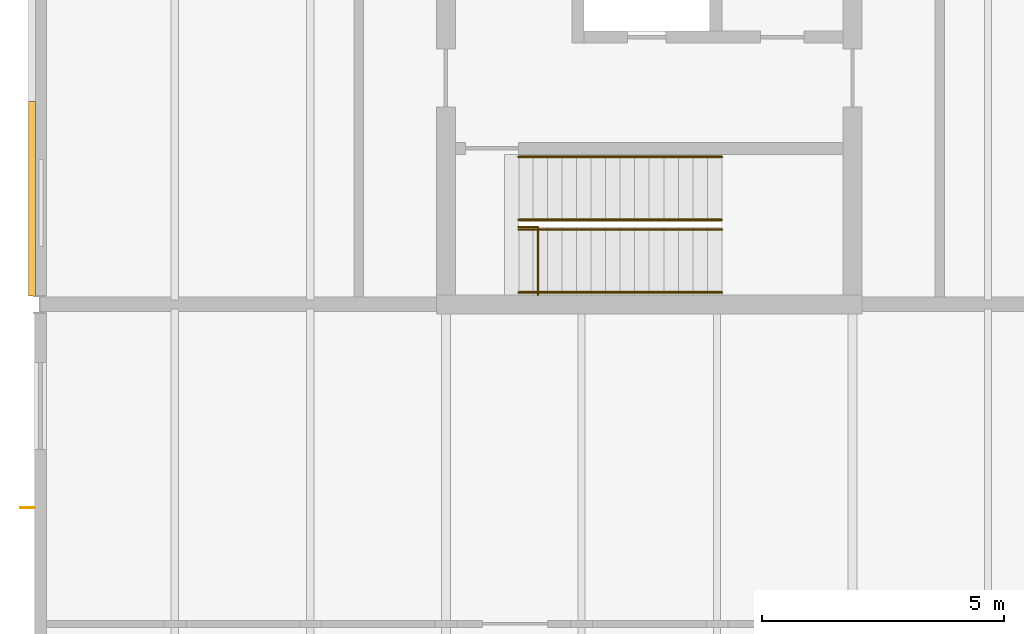
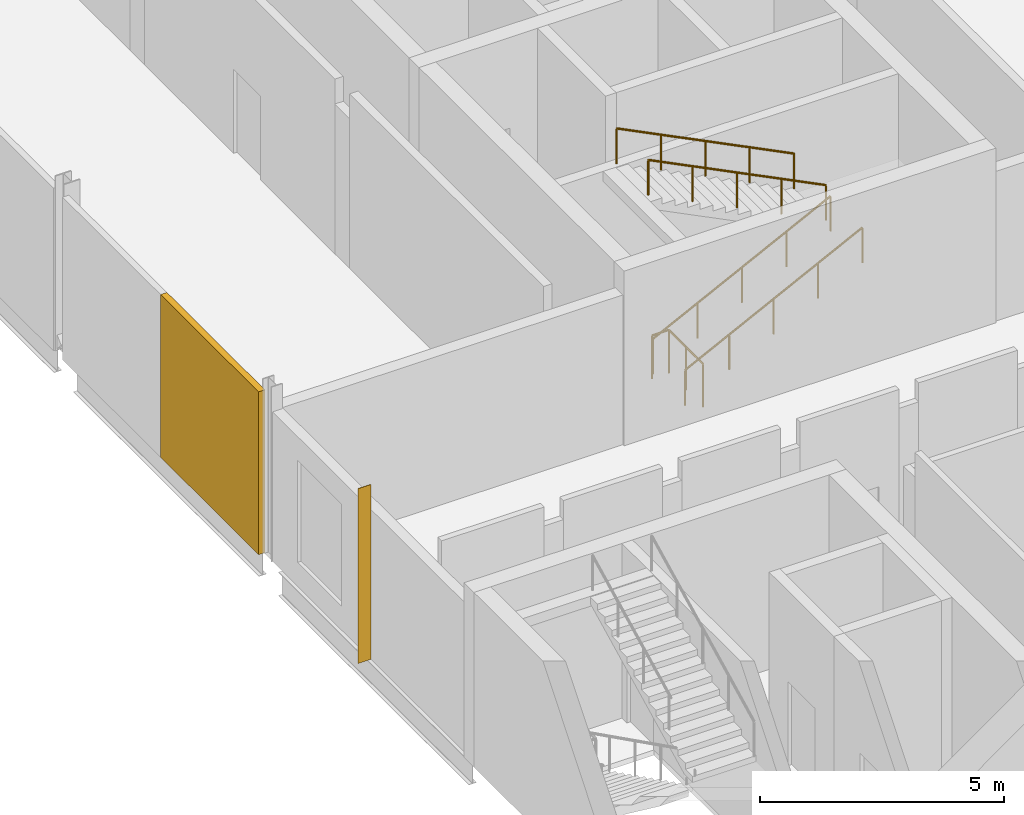
# One storey, part 76 of 89: 5 railings, 2 shading devices.
"""IFC4 building model written with IfcOpenShell, lengths in metres."""

import ifcopenshell
import ifcopenshell.guid

model = None  # the IFC model being written
_history = None  # IfcOwnerHistory: only IFC2X3 demands one
_inside = {}  # id of a spatial element -> (the spatial element, [elements in it])
_under = {}  # id of a project, library or spatial element -> (it, [spatial elements below it])
_declared = {}  # id of a project -> (the project, [libraries it declares])
_typed = {}  # id of a type object -> (the type object, [elements of that type])
_made_of = {}  # id of a material, layer set ... -> (it, [elements and type objects made of it])


def new_model(schema):
    """Start an empty IFC model of exactly this schema.

    Asked for "IFC4X3", IfcOpenShell would pick the latest addendum, in which some entities
    have other attributes; the version numbers below select the first issue.
    IFC2X3 requires an IfcOwnerHistory on every rooted entity: one is made here for all.
    """
    global model, _history
    if schema == "IFC4X3":
        model = ifcopenshell.file(schema_version=(4, 3, 0, 0))
    else:
        model = ifcopenshell.file(schema=schema)
    _inside.clear()
    _under.clear()
    _declared.clear()
    _typed.clear()
    _made_of.clear()
    _history = None
    if model.schema == "IFC2X3":
        org = make("IfcOrganization", Name="unknown")
        user = make(
            "IfcPersonAndOrganization",
            ThePerson=make("IfcPerson", FamilyName="unknown"),
            TheOrganization=org,
        )
        app = make(
            "IfcApplication",
            ApplicationDeveloper=org,
            Version="unknown",
            ApplicationFullName="unknown",
            ApplicationIdentifier="unknown",
        )
        _history = make(
            "IfcOwnerHistory",
            OwningUser=user,
            OwningApplication=app,
            ChangeAction="ADDED",
            CreationDate=0,
        )
    return model


def make(cls, **values):
    """One entity of the class cls with the attributes given. An attribute that is None is left unset."""
    return model.create_entity(
        cls, **{name: value for name, value in values.items() if value is not None}
    )


def rooted(cls, **values):
    """An entity with a GlobalId (a new one), such as an element, a storey or a relation."""
    return make(cls, GlobalId=ifcopenshell.guid.new(), OwnerHistory=_history, **values)


def si_unit(unit_type, name, prefix=None):
    """IfcSIUnit, for example si_unit("LENGTHUNIT", "METRE", prefix="MILLI")."""
    return make("IfcSIUnit", UnitType=unit_type, Prefix=prefix, Name=name)


def assignment(units):
    """IfcUnitAssignment: the units of a project."""
    return None if units is None else make("IfcUnitAssignment", Units=units)


def point(xyz):
    """IfcCartesianPoint."""
    return None if xyz is None else make("IfcCartesianPoint", Coordinates=xyz)


def direction(xyz):
    """IfcDirection."""
    return None if xyz is None else make("IfcDirection", DirectionRatios=xyz)


def frame(location, z_axis=None, x_axis=None):
    """IfcAxis2Placement3D, a coordinate frame: its origin and axes. An axis left out is left unset."""
    return make(
        "IfcAxis2Placement3D",
        Location=point(location),
        Axis=direction(z_axis),
        RefDirection=direction(x_axis),
    )


def frame_2d(location, x_axis=None):
    """IfcAxis2Placement2D, a coordinate frame in the plane: its origin and x axis."""
    return make(
        "IfcAxis2Placement2D", Location=point(location), RefDirection=direction(x_axis)
    )


def origin():
    """The frame at (0, 0, 0) with its axes left unset."""
    return frame((0.0, 0.0, 0.0))


def origin_2d():
    """The frame at (0, 0) in the plane with its x axis left unset."""
    return frame_2d((0.0, 0.0))


def place(relative_to, where):
    """IfcLocalPlacement: puts the frame where relative to a parent placement (None: the world)."""
    return make(
        "IfcLocalPlacement", PlacementRelTo=relative_to, RelativePlacement=where
    )


def context(
    kind, dimensions, precision=None, world=None, true_north=None, identifier=None
):
    """IfcGeometricRepresentationContext, for example the 3D "Model" context."""
    return make(
        "IfcGeometricRepresentationContext",
        ContextIdentifier=identifier,
        ContextType=kind,
        CoordinateSpaceDimension=dimensions,
        Precision=precision,
        WorldCoordinateSystem=world,
        TrueNorth=true_north,
    )


def subcontext(parent, identifier, kind, view, scale=None):
    """IfcGeometricRepresentationSubContext, for example "Body" below "Model"."""
    return make(
        "IfcGeometricRepresentationSubContext",
        ContextIdentifier=identifier,
        ContextType=kind,
        ParentContext=parent,
        TargetScale=scale,
        TargetView=view,
    )


def project(units=None, contexts=None):
    """IfcProject with its units and contexts."""
    return rooted(
        "IfcProject",
        Name="project",
        RepresentationContexts=contexts,
        UnitsInContext=assignment(units),
    )


def spatial(cls, under=None, at=None, **own):
    """A site, building, storey or space (cls), placed at a placement, below another one or the project."""
    s = rooted(cls, ObjectPlacement=at, **own)
    if under is not None:
        _under.setdefault(under.id(), (under, []))[1].append(s)
    return s


def profile(cls, at=None, kind="AREA", **sizes):
    """A parametric profile (cls). Its sizes go by their IFC names, for example OverallWidth=200.0."""
    return make(cls, ProfileType=kind, Position=at, **sizes)


def rectangle(**sizes):
    """IfcRectangleProfileDef."""
    return profile("IfcRectangleProfileDef", **sizes)


def circle(**sizes):
    """IfcCircleProfileDef."""
    return profile("IfcCircleProfileDef", **sizes)


def extrude(swept, where, along, depth):
    """IfcExtrudedAreaSolid: the profile swept, set in the frame where, extruded along a direction by depth."""
    return make(
        "IfcExtrudedAreaSolid",
        SweptArea=swept,
        Position=where,
        ExtrudedDirection=direction(along),
        Depth=depth,
    )


def shape(context_of_items, identifier, shape_type, items):
    """IfcShapeRepresentation: the items that make up one representation, for example the "Body"."""
    return make(
        "IfcShapeRepresentation",
        ContextOfItems=context_of_items,
        RepresentationIdentifier=identifier,
        RepresentationType=shape_type,
        Items=items,
    )


def material(Name=None, Category=None):
    """IfcMaterial."""
    return make("IfcMaterial", Name=Name, Category=Category)


def layer(
    of_material, thickness, ventilated=None, Name=None, Category=None, Priority=None
):
    """IfcMaterialLayer: one layer of a wall or slab, of a material (None: an air gap)."""
    return make(
        "IfcMaterialLayer",
        Material=of_material,
        LayerThickness=thickness,
        IsVentilated=ventilated,
        Name=Name,
        Category=Category,
        Priority=Priority,
    )


def layer_set(layers, Name=None):
    """IfcMaterialLayerSet."""
    return make("IfcMaterialLayerSet", MaterialLayers=layers, LayerSetName=Name)


def made_of(thing, what):
    """Note that an element or type object is made of a material, layer set ...; save() writes the relation."""
    if what is not None:
        _made_of.setdefault(what.id(), (what, []))[1].append(thing)
    return thing


def type_object(cls, material=None, **own):
    """A type object (cls), such as IfcWallType, which elements share."""
    return made_of(rooted(cls, **own), material)


def element(
    cls,
    number,
    at=None,
    inside=None,
    cuts=None,
    type_object=None,
    material=None,
    context=None,
    identifier="Body",
    shape_type=None,
    held_by="IfcProductDefinitionShape",
    body=None,
    shapes=None,
    **own,
):
    """One element of the class cls, such as IfcWall. Its Tag is "e" and its number.

    at: its placement. inside: the storey or other place that contains it. cuts: it is an
    opening in that element (IfcRelVoidsElement). A single representation is given by context,
    identifier, shape_type and body (its items); several are given by shapes. held_by: the class
    of the entity that holds the representations. save() writes the other relations.
    """
    e = rooted(cls, Tag="e%d" % number, ObjectPlacement=at, **own)
    if body is not None:
        shapes = [shape(context, identifier, shape_type, body)]
    if shapes is not None:
        e.Representation = make(held_by, Representations=shapes)
    if inside is not None:
        _inside.setdefault(inside.id(), (inside, []))[1].append(e)
    if cuts is not None:
        rooted(
            "IfcRelVoidsElement", RelatingBuildingElement=cuts, RelatedOpeningElement=e
        )
    if type_object is not None:
        _typed.setdefault(type_object.id(), (type_object, []))[1].append(e)
    return made_of(e, material)


def aggregate(whole, parts):
    """IfcRelAggregates: a whole, such as a stair, and the parts it consists of."""
    return rooted("IfcRelAggregates", RelatingObject=whole, RelatedObjects=parts)


def save(model, path):
    """Write the relations noted so far, then the file.

    IfcRelAggregates (storeys below a building ...), IfcRelContainedInSpatialStructure (elements
    in a storey), IfcRelDefinesByType, IfcRelAssociatesMaterial and IfcRelDeclares: one each for
    every whole, place, type object, material and project.
    """
    for whole, parts in _under.values():
        aggregate(whole, parts)
    for where, things in _inside.values():
        rooted(
            "IfcRelContainedInSpatialStructure",
            RelatedElements=things,
            RelatingStructure=where,
        )
    for kind, things in _typed.values():
        rooted("IfcRelDefinesByType", RelatedObjects=things, RelatingType=kind)
    for what, things in _made_of.values():
        rooted("IfcRelAssociatesMaterial", RelatedObjects=things, RelatingMaterial=what)
    for by, libraries in _declared.values():
        rooted("IfcRelDeclares", RelatingContext=by, RelatedDefinitions=libraries)
    model.write(path)


model = new_model("IFC4")

# Units and contexts
model_context = context("Model", 3, precision=1e-05, world=origin(), true_north=direction((0.0, 1.0)))
body_context = subcontext(model_context, "Body", "Model", "MODEL_VIEW")
ifc_project = project(units=[si_unit("LENGTHUNIT", "METRE"), si_unit("AREAUNIT", "SQUARE_METRE"), si_unit("VOLUMEUNIT", "CUBIC_METRE"), si_unit("PLANEANGLEUNIT", "RADIAN"), si_unit("MASSUNIT", "GRAM", prefix="KILO")], contexts=[model_context])

# Site, building, storey
site_placement = place(None, origin())
site = spatial("IfcSite", under=ifc_project, at=site_placement, CompositionType="ELEMENT")
building_placement = place(site_placement, origin())
building = spatial("IfcBuilding", under=site, at=building_placement, Name="Hlaing Beacon Police Headquarters", CompositionType="ELEMENT")
storey_placement = place(building_placement, frame((0.0, 0.0, 9.89990234375)))
storey = spatial("IfcBuildingStorey", under=building, at=storey_placement, Name="L02", CompositionType="ELEMENT", Elevation=9.89990234375)

# Shading devices
ifc_material_1 = material(Name="Aluminium 6063-T5 anodised", Category="aluminium")
ifc_layer_1 = layer(ifc_material_1, 0.011962890625)
ifc_layer_set_1 = layer_set([ifc_layer_1], Name="Aluminium 6063-T5 anodised")
shading_device_type_1 = type_object("IfcShadingDeviceType", Name="Aluminium fin 12x300", PredefinedType="JALOUSIE", material=ifc_layer_set_1)
shading_device_1_placement = place(storey_placement, frame((8.14990234375, 29.39990234375, 0.0), z_axis=(0.0, 0.0, 1.0), x_axis=(0.0, -1.0, 0.0)))
element("IfcShadingDevice", 1, at=shading_device_1_placement, inside=storey, type_object=shading_device_type_1, Name="Fin L02 W008", PredefinedType="JALOUSIE", context=body_context, shape_type="SweptSolid", body=[
    extrude(rectangle(XDim=0.011962890625, YDim=0.300048828125, at=origin_2d()), origin(), (0.0, 0.0, 1.0), 4.3701171875),
])
ifc_material_2 = material(Name="Perforated aluminium", Category="aluminium")
ifc_layer_2 = layer(ifc_material_2, 0.14990234375)
ifc_layer_set_2 = layer_set([ifc_layer_2], Name="Perforated aluminium")
shading_device_type_2 = type_object("IfcShadingDeviceType", Name="Perforated screen panel 150", PredefinedType="JALOUSIE", material=ifc_layer_set_2)
shading_device_2_placement = place(storey_placement, frame((8.25, 35.78857421875, 0.0), z_axis=(0.0, 0.0, 1.0), x_axis=(0.0, -1.0, 0.0)))
element("IfcShadingDevice", 2, at=shading_device_2_placement, inside=storey, type_object=shading_device_type_2, Name="Screen L02 W020", PredefinedType="JALOUSIE", context=body_context, shape_type="SweptSolid", body=[
    extrude(rectangle(XDim=4.0166015625, YDim=0.14990234375, at=origin_2d()), origin(), (0.0, 0.0, 1.0), 4.070068359375),
])

# Railings
ifc_material_3 = material(Name="Stainless steel", Category="steel")
railing_type_1 = type_object("IfcRailingType", Name="Stair guard 1100", PredefinedType="GUARDRAIL", material=ifc_material_3)
railing_placement = place(storey_placement, frame((18.699951171875, 33.800048828125, 0.0)))
element("IfcRailing", 3, at=railing_placement, inside=storey, type_object=railing_type_1, Name="Guard ST-N", PredefinedType="GUARDRAIL", context=body_context, shape_type="SweptSolid", body=[
    extrude(circle(Radius=0.02392578125, at=origin_2d()), frame((0.0, 0.0, 1.076171875), z_axis=(0.0, 1.0, 0.0), x_axis=(-1.0, 0.0, 0.0)), (0.0, 0.0, 1.0), 1.39990234375),
    extrude(circle(Radius=0.02392578125, at=origin_2d()), frame((0.0, 1.39990234375, 1.076171875), z_axis=(-1.0, 0.0, 0.0), x_axis=(0.0, -1.0, 0.0)), (0.0, 0.0, 1.0), 0.39990234375),
    extrude(circle(Radius=0.02099609375, at=origin_2d()), origin(), (0.0, 0.0, 1.0), 1.052001953125),
    extrude(circle(Radius=0.02099609375, at=origin_2d()), frame((0.0, 0.699951171875, 0.0)), (0.0, 0.0, 1.0), 1.052001953125),
    extrude(circle(Radius=0.02099609375, at=origin_2d()), frame((0.0, 1.39990234375, 0.0)), (0.0, 0.0, 1.0), 1.052001953125),
    extrude(circle(Radius=0.02099609375, at=origin_2d()), frame((-0.39990234375, 1.39990234375, 0.0)), (0.0, 0.0, 1.0), 1.052001953125),
])
ifc_material_4 = material(Name="Stainless steel", Category="steel")
railing_type_2 = type_object("IfcRailingType", Name="Stair handrail 900", PredefinedType="HANDRAIL", material=ifc_material_4)
for number, where, name in (
    (4, (18.300048828125, 33.85009765625, 0.150146484375), "Handrail ST-N"),
    (5, (18.300048828125, 35.14990234375, 0.150146484375), "Handrail ST-N"),
):
    element("IfcRailing", number, at=place(storey_placement, frame(where)), inside=storey, type_object=railing_type_2, Name=name, PredefinedType="HANDRAIL", context=body_context, shape_type="SweptSolid", body=[
        extrude(circle(Radius=0.02392578125, at=origin_2d()), frame((0.0, 0.0, 0.8759765625), z_axis=(0.894437589381, 0.0, 0.447192798132), x_axis=(0.0, 1.0, 0.0)), (0.0, 0.0, 1.0), 4.695556640625),
        extrude(circle(Radius=0.02099609375, at=origin_2d()), origin(), (0.0, 0.0, 1.0), 0.851806640625),
        extrude(circle(Radius=0.02099609375, at=origin_2d()), frame((1.050048828125, 0.0, 0.52490234375)), (0.0, 0.0, 1.0), 0.851806640625),
        extrude(circle(Radius=0.02099609375, at=origin_2d()), frame((2.10009765625, 0.0, 1.0498046875)), (0.0, 0.0, 1.0), 0.851806640625),
        extrude(circle(Radius=0.02099609375, at=origin_2d()), frame((3.14990234375, 0.0, 1.574951171875)), (0.0, 0.0, 1.0), 0.851806640625),
        extrude(circle(Radius=0.02099609375, at=origin_2d()), frame((4.199951171875, 0.0, 2.099853515625)), (0.0, 0.0, 1.0), 0.851806640625),
    ])
for number, where, name in (
    (6, (22.5, 35.35009765625, 2.400146484375), "Handrail ST-N"),
    (7, (22.5, 36.64990234375, 2.400146484375), "Handrail ST-N"),
):
    element("IfcRailing", number, at=place(storey_placement, frame(where)), inside=storey, type_object=railing_type_2, Name=name, PredefinedType="HANDRAIL", context=body_context, shape_type="SweptSolid", body=[
        extrude(circle(Radius=0.02392578125, at=origin_2d()), frame((0.0, 0.0, 0.8759765625), z_axis=(-0.894437589381, 0.0, 0.447192798132), x_axis=(0.0, -1.0, 0.0)), (0.0, 0.0, 1.0), 4.695556640625),
        extrude(circle(Radius=0.02099609375, at=origin_2d()), origin(), (0.0, 0.0, 1.0), 0.851806640625),
        extrude(circle(Radius=0.02099609375, at=origin_2d()), frame((-1.050048828125, 0.0, 0.52490234375)), (0.0, 0.0, 1.0), 0.851806640625),
        extrude(circle(Radius=0.02099609375, at=origin_2d()), frame((-2.10009765625, 0.0, 1.0498046875)), (0.0, 0.0, 1.0), 0.851806640625),
        extrude(circle(Radius=0.02099609375, at=origin_2d()), frame((-3.14990234375, 0.0, 1.574951171875)), (0.0, 0.0, 1.0), 0.851806640625),
        extrude(circle(Radius=0.02099609375, at=origin_2d()), frame((-4.199951171875, 0.0, 2.099853515625)), (0.0, 0.0, 1.0), 0.851806640625),
    ])

save(model, "model.ifc")
